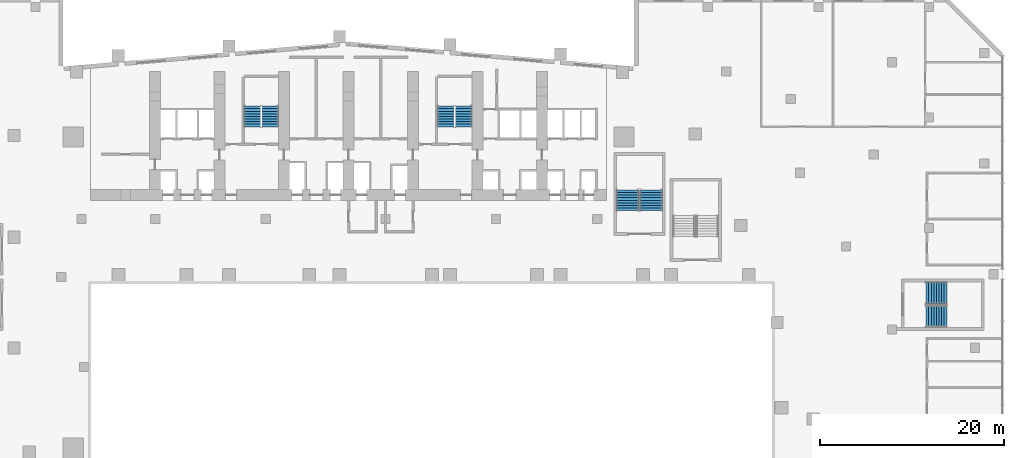
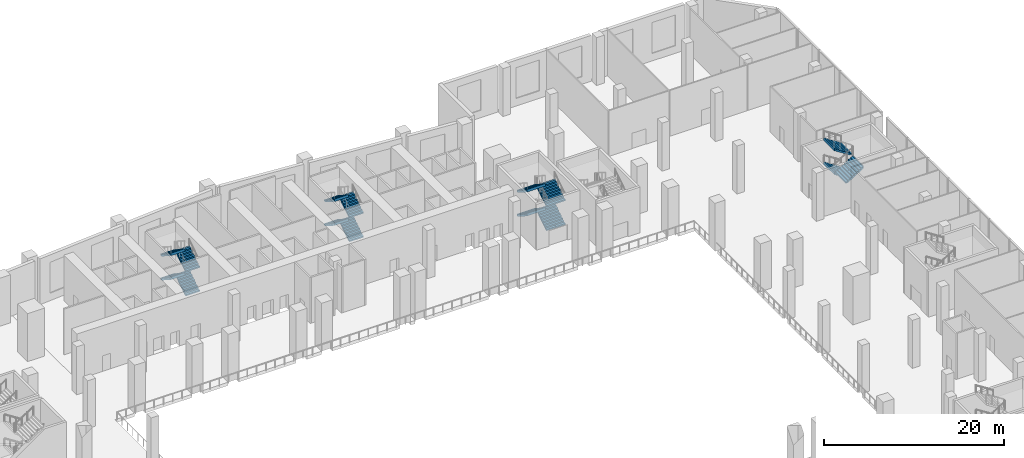
# One storey, part 21 of 30: 15 stair flights, 4 elements without a shape of their own.
"""IFC4 building model written with IfcOpenShell, lengths in metres."""

from ifc_helpers import new_model, si_unit, direction, frame, origin, place, context, subcontext, project, spatial, polyline, outline, extrude, material, type_object, element, aggregate, save


model = new_model("IFC4")

# Units and contexts
model_context = context("Model", 3, precision=1e-05, world=origin(), true_north=direction((0.0, 1.0)))
body_context = subcontext(model_context, "Body", "Model", "MODEL_VIEW")
ifc_project = project(units=[si_unit("LENGTHUNIT", "METRE"), si_unit("AREAUNIT", "SQUARE_METRE"), si_unit("VOLUMEUNIT", "CUBIC_METRE"), si_unit("PLANEANGLEUNIT", "RADIAN"), si_unit("MASSUNIT", "GRAM", prefix="KILO")], contexts=[model_context])

# Site, building, storey
site_placement = place(None, origin())
site = spatial("IfcSite", under=ifc_project, at=site_placement, CompositionType="ELEMENT")
building_placement = place(site_placement, origin())
building = spatial("IfcBuilding", under=site, at=building_placement, Name="Wharfspan Tower", CompositionType="ELEMENT")
storey_placement = place(building_placement, frame((0.0, 0.0, 15.0)))
storey = spatial("IfcBuildingStorey", under=building, at=storey_placement, Name="L02", CompositionType="ELEMENT", Elevation=15.0)

# Stair, stair flights
ifc_material = material(Name="Concrete C40/50", Category="concrete")
stair_type_1 = type_object("IfcStairType", Name="Half-turn stair 2400 wide 36 risers 181 mm", PredefinedType="HALF_TURN_STAIR", material=ifc_material)
stair_1_placement = place(storey_placement, origin())
stair_1 = element("IfcStair", 1, at=stair_1_placement, inside=storey, type_object=stair_type_1, Name="L02 stair AS4", PredefinedType="HALF_TURN_STAIR")
stair_flight_type_1 = type_object("IfcStairFlightType", Name="Stair flight 2400 wide 36 risers 181 mm", PredefinedType="STRAIGHT", material=ifc_material)
stair_flight_1_placement = place(storey_placement, frame((101.939941, 23.949951, 1.625), z_axis=(0.0, 0.0, 1.0), x_axis=(-1.0, 0.0, 0.0)))
stair_flight_1 = element("IfcStairFlight", 2, at=stair_flight_1_placement, type_object=stair_flight_type_1, Name="AS4 flight 2", NumberOfRisers=9, NumberOfTreads=8, PredefinedType="STRAIGHT", RiserHeight=0.180556, TreadLength=0.28, context=body_context, shape_type="SweptSolid", body=[
    extrude(outline(polyline([(-0.011963, 0.0), (-0.011963, 0.180664), (0.0, 0.180664), (0.280029, 0.180664), (0.280029, 0.361084), (0.560059, 0.361084), (0.560059, 0.541748), (0.840088, 0.541748), (0.840088, 0.722168), (1.120117, 0.722168), (1.120117, 0.902832), (1.399902, 0.902832), (1.399902, 1.083252), (1.679932, 1.083252), (1.679932, 1.263916), (1.959961, 1.263916), (1.959961, 1.444336), (2.23999, 1.444336), (2.251953, 1.625), (2.251953, 1.266113), (0.276611, 0.0), (-0.011963, 0.0)])), frame((0.0, 1.199951, 0.0), z_axis=(0.0, -1.0, 0.0), x_axis=(1.0, 0.0, 0.0)), (0.0, 0.0, 1.0), 1.179443),
    extrude(outline(polyline([(-0.011963, 0.0), (-0.011963, 0.180664), (0.0, 0.180664), (0.280029, 0.180664), (0.280029, 0.361084), (0.560059, 0.361084), (0.560059, 0.541748), (0.840088, 0.541748), (0.840088, 0.722168), (1.120117, 0.722168), (1.120117, 0.902832), (1.399902, 0.902832), (1.399902, 1.083252), (1.679932, 1.083252), (1.679932, 1.263916), (1.959961, 1.263916), (1.959961, 1.444336), (2.23999, 1.444336), (2.251953, 1.625), (2.251953, 1.266113), (0.276611, 0.0), (-0.011963, 0.0)])), frame((0.0, 0.019531, 0.0), z_axis=(0.0, -1.0, 0.0), x_axis=(1.0, 0.0, 0.0)), (0.0, 0.0, 1.0), 0.019043),
    extrude(outline(polyline([(-0.011963, 0.0), (-0.011963, 0.180664), (0.0, 0.180664), (0.280029, 0.180664), (0.280029, 0.361084), (0.560059, 0.361084), (0.560059, 0.541748), (0.840088, 0.541748), (0.840088, 0.722168), (1.120117, 0.722168), (1.120117, 0.902832), (1.399902, 0.902832), (1.399902, 1.083252), (1.679932, 1.083252), (1.679932, 1.263916), (1.959961, 1.263916), (1.959961, 1.444336), (2.23999, 1.444336), (2.251953, 1.625), (2.251953, 1.266113), (0.276611, 0.0), (-0.011963, 0.0)])), frame((0.0, -0.000488, 0.0), z_axis=(0.0, -1.0, 0.0), x_axis=(1.0, 0.0, 0.0)), (0.0, 0.0, 1.0), 0.019043),
    extrude(outline(polyline([(-0.011963, 0.0), (-0.011963, 0.180664), (0.0, 0.180664), (0.280029, 0.180664), (0.280029, 0.361084), (0.560059, 0.361084), (0.560059, 0.541748), (0.840088, 0.541748), (0.840088, 0.722168), (1.120117, 0.722168), (1.120117, 0.902832), (1.399902, 0.902832), (1.399902, 1.083252), (1.679932, 1.083252), (1.679932, 1.263916), (1.959961, 1.263916), (1.959961, 1.444336), (2.23999, 1.444336), (2.251953, 1.625), (2.251953, 1.266113), (0.276611, 0.0), (-0.011963, 0.0)])), frame((0.0, -0.020508, 0.0), z_axis=(0.0, -1.0, 0.0), x_axis=(1.0, 0.0, 0.0)), (0.0, 0.0, 1.0), 1.179443),
])
stair_flight_2_placement = place(storey_placement, frame((99.699951, 21.399902, 3.25), z_axis=(0.0, 0.0, 1.0), x_axis=(1.0, 0.0, 0.0)))
stair_flight_2 = element("IfcStairFlight", 3, at=stair_flight_2_placement, type_object=stair_flight_type_1, Name="AS4 flight 3", NumberOfRisers=9, NumberOfTreads=8, PredefinedType="STRAIGHT", RiserHeight=0.180556, TreadLength=0.28, context=body_context, shape_type="SweptSolid", body=[
    extrude(outline(polyline([(-0.011963, 0.0), (-0.011963, 0.180664), (0.0, 0.180664), (0.280029, 0.180664), (0.280029, 0.361084), (0.560059, 0.361084), (0.560059, 0.541748), (0.840088, 0.541748), (0.840088, 0.722168), (1.120117, 0.722168), (1.120117, 0.902832), (1.399902, 0.902832), (1.399902, 1.083252), (1.679932, 1.083252), (1.679932, 1.263916), (1.959961, 1.263916), (1.959961, 1.444336), (2.23999, 1.444336), (2.251953, 1.625), (2.251953, 1.266113), (0.276611, 0.0), (-0.011963, 0.0)])), frame((0.0, 1.199951, 0.0), z_axis=(0.0, -1.0, 0.0), x_axis=(1.0, 0.0, 0.0)), (0.0, 0.0, 1.0), 1.179443),
    extrude(outline(polyline([(-0.011963, 0.0), (-0.011963, 0.180664), (0.0, 0.180664), (0.280029, 0.180664), (0.280029, 0.361084), (0.560059, 0.361084), (0.560059, 0.541748), (0.840088, 0.541748), (0.840088, 0.722168), (1.120117, 0.722168), (1.120117, 0.902832), (1.399902, 0.902832), (1.399902, 1.083252), (1.679932, 1.083252), (1.679932, 1.263916), (1.959961, 1.263916), (1.959961, 1.444336), (2.23999, 1.444336), (2.251953, 1.625), (2.251953, 1.266113), (0.276611, 0.0), (-0.011963, 0.0)])), frame((0.0, 0.019531, 0.0), z_axis=(0.0, -1.0, 0.0), x_axis=(1.0, 0.0, 0.0)), (0.0, 0.0, 1.0), 0.019043),
    extrude(outline(polyline([(-0.011963, 0.0), (-0.011963, 0.180664), (0.0, 0.180664), (0.280029, 0.180664), (0.280029, 0.361084), (0.560059, 0.361084), (0.560059, 0.541748), (0.840088, 0.541748), (0.840088, 0.722168), (1.120117, 0.722168), (1.120117, 0.902832), (1.399902, 0.902832), (1.399902, 1.083252), (1.679932, 1.083252), (1.679932, 1.263916), (1.959961, 1.263916), (1.959961, 1.444336), (2.23999, 1.444336), (2.251953, 1.625), (2.251953, 1.266113), (0.276611, 0.0), (-0.011963, 0.0)])), frame((0.0, -0.000488, 0.0), z_axis=(0.0, -1.0, 0.0), x_axis=(1.0, 0.0, 0.0)), (0.0, 0.0, 1.0), 0.019043),
    extrude(outline(polyline([(-0.011963, 0.0), (-0.011963, 0.180664), (0.0, 0.180664), (0.280029, 0.180664), (0.280029, 0.361084), (0.560059, 0.361084), (0.560059, 0.541748), (0.840088, 0.541748), (0.840088, 0.722168), (1.120117, 0.722168), (1.120117, 0.902832), (1.399902, 0.902832), (1.399902, 1.083252), (1.679932, 1.083252), (1.679932, 1.263916), (1.959961, 1.263916), (1.959961, 1.444336), (2.23999, 1.444336), (2.251953, 1.625), (2.251953, 1.266113), (0.276611, 0.0), (-0.011963, 0.0)])), frame((0.0, -0.020508, 0.0), z_axis=(0.0, -1.0, 0.0), x_axis=(1.0, 0.0, 0.0)), (0.0, 0.0, 1.0), 1.179443),
])
stair_flight_3_placement = place(storey_placement, frame((101.939941, 23.949951, 4.875), z_axis=(0.0, 0.0, 1.0), x_axis=(-1.0, 0.0, 0.0)))
stair_flight_3 = element("IfcStairFlight", 4, at=stair_flight_3_placement, type_object=stair_flight_type_1, Name="AS4 flight 4", NumberOfRisers=9, NumberOfTreads=8, PredefinedType="STRAIGHT", RiserHeight=0.180556, TreadLength=0.28, context=body_context, shape_type="SweptSolid", body=[
    extrude(outline(polyline([(-0.011963, 0.0), (-0.011963, 0.180664), (0.0, 0.180664), (0.280029, 0.180664), (0.280029, 0.361084), (0.560059, 0.361084), (0.560059, 0.541748), (0.840088, 0.541748), (0.840088, 0.722168), (1.120117, 0.722168), (1.120117, 0.902832), (1.399902, 0.902832), (1.399902, 1.083252), (1.679932, 1.083252), (1.679932, 1.263916), (1.959961, 1.263916), (1.959961, 1.444336), (2.23999, 1.444336), (2.251953, 1.625), (2.251953, 1.266113), (0.276611, 0.0), (-0.011963, 0.0)])), frame((0.0, 1.199951, 0.0), z_axis=(0.0, -1.0, 0.0), x_axis=(1.0, 0.0, 0.0)), (0.0, 0.0, 1.0), 1.179443),
    extrude(outline(polyline([(-0.011963, 0.0), (-0.011963, 0.180664), (0.0, 0.180664), (0.280029, 0.180664), (0.280029, 0.361084), (0.560059, 0.361084), (0.560059, 0.541748), (0.840088, 0.541748), (0.840088, 0.722168), (1.120117, 0.722168), (1.120117, 0.902832), (1.399902, 0.902832), (1.399902, 1.083252), (1.679932, 1.083252), (1.679932, 1.263916), (1.959961, 1.263916), (1.959961, 1.444336), (2.23999, 1.444336), (2.251953, 1.625), (2.251953, 1.266113), (0.276611, 0.0), (-0.011963, 0.0)])), frame((0.0, 0.019531, 0.0), z_axis=(0.0, -1.0, 0.0), x_axis=(1.0, 0.0, 0.0)), (0.0, 0.0, 1.0), 0.019043),
    extrude(outline(polyline([(-0.011963, 0.0), (-0.011963, 0.180664), (0.0, 0.180664), (0.280029, 0.180664), (0.280029, 0.361084), (0.560059, 0.361084), (0.560059, 0.541748), (0.840088, 0.541748), (0.840088, 0.722168), (1.120117, 0.722168), (1.120117, 0.902832), (1.399902, 0.902832), (1.399902, 1.083252), (1.679932, 1.083252), (1.679932, 1.263916), (1.959961, 1.263916), (1.959961, 1.444336), (2.23999, 1.444336), (2.251953, 1.625), (2.251953, 1.266113), (0.276611, 0.0), (-0.011963, 0.0)])), frame((0.0, -0.000488, 0.0), z_axis=(0.0, -1.0, 0.0), x_axis=(1.0, 0.0, 0.0)), (0.0, 0.0, 1.0), 0.019043),
    extrude(outline(polyline([(-0.011963, 0.0), (-0.011963, 0.180664), (0.0, 0.180664), (0.280029, 0.180664), (0.280029, 0.361084), (0.560059, 0.361084), (0.560059, 0.541748), (0.840088, 0.541748), (0.840088, 0.722168), (1.120117, 0.722168), (1.120117, 0.902832), (1.399902, 0.902832), (1.399902, 1.083252), (1.679932, 1.083252), (1.679932, 1.263916), (1.959961, 1.263916), (1.959961, 1.444336), (2.23999, 1.444336), (2.251953, 1.625), (2.251953, 1.266113), (0.276611, 0.0), (-0.011963, 0.0)])), frame((0.0, -0.020508, 0.0), z_axis=(0.0, -1.0, 0.0), x_axis=(1.0, 0.0, 0.0)), (0.0, 0.0, 1.0), 1.179443),
])
aggregate(stair_1, [stair_flight_1, stair_flight_2, stair_flight_3])

stair_2_placement = place(storey_placement, origin())
stair_2 = element("IfcStair", 5, at=stair_2_placement, inside=storey, type_object=stair_type_1, Name="L02 stair PS4", PredefinedType="HALF_TURN_STAIR")
stair_flight_4_placement = place(storey_placement, frame((69.850098, 32.899902, 0.0), z_axis=(0.0, 0.0, 1.0), x_axis=(0.0, 1.0, 0.0)))
stair_flight_4 = element("IfcStairFlight", 6, at=stair_flight_4_placement, type_object=stair_flight_type_1, Name="PS4 flight 1", NumberOfRisers=9, NumberOfTreads=8, PredefinedType="STRAIGHT", RiserHeight=0.180556, TreadLength=0.28, context=body_context, shape_type="SweptSolid", body=[
    extrude(outline(polyline([(-0.011963, 0.0), (-0.011963, 0.180664), (0.0, 0.180664), (0.280029, 0.180664), (0.280029, 0.361084), (0.560059, 0.361084), (0.560059, 0.541748), (0.840088, 0.541748), (0.840088, 0.722168), (1.120117, 0.722168), (1.120117, 0.902832), (1.399902, 0.902832), (1.399902, 1.083252), (1.679932, 1.083252), (1.679932, 1.263916), (1.959961, 1.263916), (1.959961, 1.444336), (2.23999, 1.444336), (2.251953, 1.625), (2.251953, 1.266113), (0.276611, 0.0), (-0.011963, 0.0)])), frame((0.0, 1.199951, 0.0), z_axis=(0.0, -1.0, 0.0), x_axis=(1.0, 0.0, 0.0)), (0.0, 0.0, 1.0), 1.179443),
    extrude(outline(polyline([(-0.011963, 0.0), (-0.011963, 0.180664), (0.0, 0.180664), (0.280029, 0.180664), (0.280029, 0.361084), (0.560059, 0.361084), (0.560059, 0.541748), (0.840088, 0.541748), (0.840088, 0.722168), (1.120117, 0.722168), (1.120117, 0.902832), (1.399902, 0.902832), (1.399902, 1.083252), (1.679932, 1.083252), (1.679932, 1.263916), (1.959961, 1.263916), (1.959961, 1.444336), (2.23999, 1.444336), (2.251953, 1.625), (2.251953, 1.266113), (0.276611, 0.0), (-0.011963, 0.0)])), frame((0.0, 0.019531, 0.0), z_axis=(0.0, -1.0, 0.0), x_axis=(1.0, 0.0, 0.0)), (0.0, 0.0, 1.0), 0.019043),
    extrude(outline(polyline([(-0.011963, 0.0), (-0.011963, 0.180664), (0.0, 0.180664), (0.280029, 0.180664), (0.280029, 0.361084), (0.560059, 0.361084), (0.560059, 0.541748), (0.840088, 0.541748), (0.840088, 0.722168), (1.120117, 0.722168), (1.120117, 0.902832), (1.399902, 0.902832), (1.399902, 1.083252), (1.679932, 1.083252), (1.679932, 1.263916), (1.959961, 1.263916), (1.959961, 1.444336), (2.23999, 1.444336), (2.251953, 1.625), (2.251953, 1.266113), (0.276611, 0.0), (-0.011963, 0.0)])), frame((0.0, -0.000488, 0.0), z_axis=(0.0, -1.0, 0.0), x_axis=(1.0, 0.0, 0.0)), (0.0, 0.0, 1.0), 0.019043),
    extrude(outline(polyline([(-0.011963, 0.0), (-0.011963, 0.180664), (0.0, 0.180664), (0.280029, 0.180664), (0.280029, 0.361084), (0.560059, 0.361084), (0.560059, 0.541748), (0.840088, 0.541748), (0.840088, 0.722168), (1.120117, 0.722168), (1.120117, 0.902832), (1.399902, 0.902832), (1.399902, 1.083252), (1.679932, 1.083252), (1.679932, 1.263916), (1.959961, 1.263916), (1.959961, 1.444336), (2.23999, 1.444336), (2.251953, 1.625), (2.251953, 1.266113), (0.276611, 0.0), (-0.011963, 0.0)])), frame((0.0, -0.020508, 0.0), z_axis=(0.0, -1.0, 0.0), x_axis=(1.0, 0.0, 0.0)), (0.0, 0.0, 1.0), 1.179443),
])
stair_flight_5_placement = place(storey_placement, frame((67.300049, 35.139893, 1.625), z_axis=(0.0, 0.0, 1.0), x_axis=(0.0, -1.0, 0.0)))
stair_flight_5 = element("IfcStairFlight", 7, at=stair_flight_5_placement, type_object=stair_flight_type_1, Name="PS4 flight 2", NumberOfRisers=9, NumberOfTreads=8, PredefinedType="STRAIGHT", RiserHeight=0.180556, TreadLength=0.28, context=body_context, shape_type="SweptSolid", body=[
    extrude(outline(polyline([(-0.011963, 0.0), (-0.011963, 0.180664), (0.0, 0.180664), (0.280029, 0.180664), (0.280029, 0.361084), (0.560059, 0.361084), (0.560059, 0.541748), (0.840088, 0.541748), (0.840088, 0.722168), (1.120117, 0.722168), (1.120117, 0.902832), (1.399902, 0.902832), (1.399902, 1.083252), (1.679932, 1.083252), (1.679932, 1.263916), (1.959961, 1.263916), (1.959961, 1.444336), (2.23999, 1.444336), (2.251953, 1.625), (2.251953, 1.266113), (0.276611, 0.0), (-0.011963, 0.0)])), frame((0.0, 1.199951, 0.0), z_axis=(0.0, -1.0, 0.0), x_axis=(1.0, 0.0, 0.0)), (0.0, 0.0, 1.0), 1.179443),
    extrude(outline(polyline([(-0.011963, 0.0), (-0.011963, 0.180664), (0.0, 0.180664), (0.280029, 0.180664), (0.280029, 0.361084), (0.560059, 0.361084), (0.560059, 0.541748), (0.840088, 0.541748), (0.840088, 0.722168), (1.120117, 0.722168), (1.120117, 0.902832), (1.399902, 0.902832), (1.399902, 1.083252), (1.679932, 1.083252), (1.679932, 1.263916), (1.959961, 1.263916), (1.959961, 1.444336), (2.23999, 1.444336), (2.251953, 1.625), (2.251953, 1.266113), (0.276611, 0.0), (-0.011963, 0.0)])), frame((0.0, 0.019531, 0.0), z_axis=(0.0, -1.0, 0.0), x_axis=(1.0, 0.0, 0.0)), (0.0, 0.0, 1.0), 0.019043),
    extrude(outline(polyline([(-0.011963, 0.0), (-0.011963, 0.180664), (0.0, 0.180664), (0.280029, 0.180664), (0.280029, 0.361084), (0.560059, 0.361084), (0.560059, 0.541748), (0.840088, 0.541748), (0.840088, 0.722168), (1.120117, 0.722168), (1.120117, 0.902832), (1.399902, 0.902832), (1.399902, 1.083252), (1.679932, 1.083252), (1.679932, 1.263916), (1.959961, 1.263916), (1.959961, 1.444336), (2.23999, 1.444336), (2.251953, 1.625), (2.251953, 1.266113), (0.276611, 0.0), (-0.011963, 0.0)])), frame((0.0, -0.000488, 0.0), z_axis=(0.0, -1.0, 0.0), x_axis=(1.0, 0.0, 0.0)), (0.0, 0.0, 1.0), 0.019043),
    extrude(outline(polyline([(-0.011963, 0.0), (-0.011963, 0.180664), (0.0, 0.180664), (0.280029, 0.180664), (0.280029, 0.361084), (0.560059, 0.361084), (0.560059, 0.541748), (0.840088, 0.541748), (0.840088, 0.722168), (1.120117, 0.722168), (1.120117, 0.902832), (1.399902, 0.902832), (1.399902, 1.083252), (1.679932, 1.083252), (1.679932, 1.263916), (1.959961, 1.263916), (1.959961, 1.444336), (2.23999, 1.444336), (2.251953, 1.625), (2.251953, 1.266113), (0.276611, 0.0), (-0.011963, 0.0)])), frame((0.0, -0.020508, 0.0), z_axis=(0.0, -1.0, 0.0), x_axis=(1.0, 0.0, 0.0)), (0.0, 0.0, 1.0), 1.179443),
])
stair_flight_6_placement = place(storey_placement, frame((69.850098, 32.899902, 3.25), z_axis=(0.0, 0.0, 1.0), x_axis=(0.0, 1.0, 0.0)))
stair_flight_6 = element("IfcStairFlight", 8, at=stair_flight_6_placement, type_object=stair_flight_type_1, Name="PS4 flight 3", NumberOfRisers=9, NumberOfTreads=8, PredefinedType="STRAIGHT", RiserHeight=0.180556, TreadLength=0.28, context=body_context, shape_type="SweptSolid", body=[
    extrude(outline(polyline([(-0.011963, 0.0), (-0.011963, 0.180664), (0.0, 0.180664), (0.280029, 0.180664), (0.280029, 0.361084), (0.560059, 0.361084), (0.560059, 0.541748), (0.840088, 0.541748), (0.840088, 0.722168), (1.120117, 0.722168), (1.120117, 0.902832), (1.399902, 0.902832), (1.399902, 1.083252), (1.679932, 1.083252), (1.679932, 1.263916), (1.959961, 1.263916), (1.959961, 1.444336), (2.23999, 1.444336), (2.251953, 1.625), (2.251953, 1.266113), (0.276611, 0.0), (-0.011963, 0.0)])), frame((0.0, 1.199951, 0.0), z_axis=(0.0, -1.0, 0.0), x_axis=(1.0, 0.0, 0.0)), (0.0, 0.0, 1.0), 1.179443),
    extrude(outline(polyline([(-0.011963, 0.0), (-0.011963, 0.180664), (0.0, 0.180664), (0.280029, 0.180664), (0.280029, 0.361084), (0.560059, 0.361084), (0.560059, 0.541748), (0.840088, 0.541748), (0.840088, 0.722168), (1.120117, 0.722168), (1.120117, 0.902832), (1.399902, 0.902832), (1.399902, 1.083252), (1.679932, 1.083252), (1.679932, 1.263916), (1.959961, 1.263916), (1.959961, 1.444336), (2.23999, 1.444336), (2.251953, 1.625), (2.251953, 1.266113), (0.276611, 0.0), (-0.011963, 0.0)])), frame((0.0, 0.019531, 0.0), z_axis=(0.0, -1.0, 0.0), x_axis=(1.0, 0.0, 0.0)), (0.0, 0.0, 1.0), 0.019043),
    extrude(outline(polyline([(-0.011963, 0.0), (-0.011963, 0.180664), (0.0, 0.180664), (0.280029, 0.180664), (0.280029, 0.361084), (0.560059, 0.361084), (0.560059, 0.541748), (0.840088, 0.541748), (0.840088, 0.722168), (1.120117, 0.722168), (1.120117, 0.902832), (1.399902, 0.902832), (1.399902, 1.083252), (1.679932, 1.083252), (1.679932, 1.263916), (1.959961, 1.263916), (1.959961, 1.444336), (2.23999, 1.444336), (2.251953, 1.625), (2.251953, 1.266113), (0.276611, 0.0), (-0.011963, 0.0)])), frame((0.0, -0.000488, 0.0), z_axis=(0.0, -1.0, 0.0), x_axis=(1.0, 0.0, 0.0)), (0.0, 0.0, 1.0), 0.019043),
    extrude(outline(polyline([(-0.011963, 0.0), (-0.011963, 0.180664), (0.0, 0.180664), (0.280029, 0.180664), (0.280029, 0.361084), (0.560059, 0.361084), (0.560059, 0.541748), (0.840088, 0.541748), (0.840088, 0.722168), (1.120117, 0.722168), (1.120117, 0.902832), (1.399902, 0.902832), (1.399902, 1.083252), (1.679932, 1.083252), (1.679932, 1.263916), (1.959961, 1.263916), (1.959961, 1.444336), (2.23999, 1.444336), (2.251953, 1.625), (2.251953, 1.266113), (0.276611, 0.0), (-0.011963, 0.0)])), frame((0.0, -0.020508, 0.0), z_axis=(0.0, -1.0, 0.0), x_axis=(1.0, 0.0, 0.0)), (0.0, 0.0, 1.0), 1.179443),
])
stair_flight_7_placement = place(storey_placement, frame((67.300049, 35.139893, 4.875), z_axis=(0.0, 0.0, 1.0), x_axis=(0.0, -1.0, 0.0)))
stair_flight_7 = element("IfcStairFlight", 9, at=stair_flight_7_placement, type_object=stair_flight_type_1, Name="PS4 flight 4", NumberOfRisers=9, NumberOfTreads=8, PredefinedType="STRAIGHT", RiserHeight=0.180556, TreadLength=0.28, context=body_context, shape_type="SweptSolid", body=[
    extrude(outline(polyline([(-0.011963, 0.0), (-0.011963, 0.180664), (0.0, 0.180664), (0.280029, 0.180664), (0.280029, 0.361084), (0.560059, 0.361084), (0.560059, 0.541748), (0.840088, 0.541748), (0.840088, 0.722168), (1.120117, 0.722168), (1.120117, 0.902832), (1.399902, 0.902832), (1.399902, 1.083252), (1.679932, 1.083252), (1.679932, 1.263916), (1.959961, 1.263916), (1.959961, 1.444336), (2.23999, 1.444336), (2.251953, 1.625), (2.251953, 1.266113), (0.276611, 0.0), (-0.011963, 0.0)])), frame((0.0, 1.199951, 0.0), z_axis=(0.0, -1.0, 0.0), x_axis=(1.0, 0.0, 0.0)), (0.0, 0.0, 1.0), 1.179443),
    extrude(outline(polyline([(-0.011963, 0.0), (-0.011963, 0.180664), (0.0, 0.180664), (0.280029, 0.180664), (0.280029, 0.361084), (0.560059, 0.361084), (0.560059, 0.541748), (0.840088, 0.541748), (0.840088, 0.722168), (1.120117, 0.722168), (1.120117, 0.902832), (1.399902, 0.902832), (1.399902, 1.083252), (1.679932, 1.083252), (1.679932, 1.263916), (1.959961, 1.263916), (1.959961, 1.444336), (2.23999, 1.444336), (2.251953, 1.625), (2.251953, 1.266113), (0.276611, 0.0), (-0.011963, 0.0)])), frame((0.0, 0.019531, 0.0), z_axis=(0.0, -1.0, 0.0), x_axis=(1.0, 0.0, 0.0)), (0.0, 0.0, 1.0), 0.019043),
    extrude(outline(polyline([(-0.011963, 0.0), (-0.011963, 0.180664), (0.0, 0.180664), (0.280029, 0.180664), (0.280029, 0.361084), (0.560059, 0.361084), (0.560059, 0.541748), (0.840088, 0.541748), (0.840088, 0.722168), (1.120117, 0.722168), (1.120117, 0.902832), (1.399902, 0.902832), (1.399902, 1.083252), (1.679932, 1.083252), (1.679932, 1.263916), (1.959961, 1.263916), (1.959961, 1.444336), (2.23999, 1.444336), (2.251953, 1.625), (2.251953, 1.266113), (0.276611, 0.0), (-0.011963, 0.0)])), frame((0.0, -0.000488, 0.0), z_axis=(0.0, -1.0, 0.0), x_axis=(1.0, 0.0, 0.0)), (0.0, 0.0, 1.0), 0.019043),
    extrude(outline(polyline([(-0.011963, 0.0), (-0.011963, 0.180664), (0.0, 0.180664), (0.280029, 0.180664), (0.280029, 0.361084), (0.560059, 0.361084), (0.560059, 0.541748), (0.840088, 0.541748), (0.840088, 0.722168), (1.120117, 0.722168), (1.120117, 0.902832), (1.399902, 0.902832), (1.399902, 1.083252), (1.679932, 1.083252), (1.679932, 1.263916), (1.959961, 1.263916), (1.959961, 1.444336), (2.23999, 1.444336), (2.251953, 1.625), (2.251953, 1.266113), (0.276611, 0.0), (-0.011963, 0.0)])), frame((0.0, -0.020508, 0.0), z_axis=(0.0, -1.0, 0.0), x_axis=(1.0, 0.0, 0.0)), (0.0, 0.0, 1.0), 1.179443),
])
aggregate(stair_2, [stair_flight_4, stair_flight_5, stair_flight_6, stair_flight_7])

stair_type_2 = type_object("IfcStairType", Name="Half-turn stair 36 risers 181 mm", PredefinedType="HALF_TURN_STAIR", material=ifc_material)
stair_3_placement = place(storey_placement, origin())
stair_3 = element("IfcStair", 10, at=stair_3_placement, inside=storey, type_object=stair_type_2, Name="L02 stair ST1", PredefinedType="HALF_TURN_STAIR")
stair_flight_type_2 = type_object("IfcStairFlightType", Name="Stair flight 36 risers 181 mm", PredefinedType="STRAIGHT", material=ifc_material)
stair_flight_8_placement = place(storey_placement, frame((28.5, 42.0, 0.0), z_axis=(0.0, 0.0, 1.0), x_axis=(0.0, 1.0, 0.0)))
stair_flight_8 = element("IfcStairFlight", 11, at=stair_flight_8_placement, type_object=stair_flight_type_2, Name="ST1 flight 1", NumberOfRisers=9, NumberOfTreads=8, PredefinedType="STRAIGHT", RiserHeight=0.180556, TreadLength=0.28, context=body_context, shape_type="SweptSolid", body=[
    extrude(outline(polyline([(-0.011963, 0.0), (-0.011963, 0.180664), (0.0, 0.180664), (0.280029, 0.180664), (0.280029, 0.361084), (0.560059, 0.361084), (0.560059, 0.541748), (0.840088, 0.541748), (0.840088, 0.722168), (1.120117, 0.722168), (1.120117, 0.902832), (1.399902, 0.902832), (1.399902, 1.083252), (1.679932, 1.083252), (1.679932, 1.263916), (1.959961, 1.263916), (1.959961, 1.444336), (2.23999, 1.444336), (2.251953, 1.625), (2.251953, 1.266113), (0.276611, 0.0), (-0.011963, 0.0)])), frame((0.0, 0.899902, 0.0), z_axis=(0.0, -1.0, 0.0), x_axis=(1.0, 0.0, 0.0)), (0.0, 0.0, 1.0), 0.899414),
    extrude(outline(polyline([(-0.011963, 0.0), (-0.011963, 0.180664), (0.0, 0.180664), (0.280029, 0.180664), (0.280029, 0.361084), (0.560059, 0.361084), (0.560059, 0.541748), (0.840088, 0.541748), (0.840088, 0.722168), (1.120117, 0.722168), (1.120117, 0.902832), (1.399902, 0.902832), (1.399902, 1.083252), (1.679932, 1.083252), (1.679932, 1.263916), (1.959961, 1.263916), (1.959961, 1.444336), (2.23999, 1.444336), (2.251953, 1.625), (2.251953, 1.266113), (0.276611, 0.0), (-0.011963, 0.0)])), frame((0.0, -0.000488, 0.0), z_axis=(0.0, -1.0, 0.0), x_axis=(1.0, 0.0, 0.0)), (0.0, 0.0, 1.0), 0.899414),
])
stair_flight_9_placement = place(storey_placement, frame((26.550049, 44.23999, 1.625), z_axis=(0.0, 0.0, 1.0), x_axis=(0.0, -1.0, 0.0)))
stair_flight_9 = element("IfcStairFlight", 12, at=stair_flight_9_placement, type_object=stair_flight_type_2, Name="ST1 flight 2", NumberOfRisers=9, NumberOfTreads=8, PredefinedType="STRAIGHT", RiserHeight=0.180556, TreadLength=0.28, context=body_context, shape_type="SweptSolid", body=[
    extrude(outline(polyline([(-0.011963, 0.0), (-0.011963, 0.180664), (0.0, 0.180664), (0.280029, 0.180664), (0.280029, 0.361084), (0.560059, 0.361084), (0.560059, 0.541748), (0.840088, 0.541748), (0.840088, 0.722168), (1.120117, 0.722168), (1.120117, 0.902832), (1.399902, 0.902832), (1.399902, 1.083252), (1.679932, 1.083252), (1.679932, 1.263916), (1.959961, 1.263916), (1.959961, 1.444336), (2.23999, 1.444336), (2.251953, 1.625), (2.251953, 1.266113), (0.276611, 0.0), (-0.011963, 0.0)])), frame((0.0, 0.899902, 0.0), z_axis=(0.0, -1.0, 0.0), x_axis=(1.0, 0.0, 0.0)), (0.0, 0.0, 1.0), 0.899414),
    extrude(outline(polyline([(-0.011963, 0.0), (-0.011963, 0.180664), (0.0, 0.180664), (0.280029, 0.180664), (0.280029, 0.361084), (0.560059, 0.361084), (0.560059, 0.541748), (0.840088, 0.541748), (0.840088, 0.722168), (1.120117, 0.722168), (1.120117, 0.902832), (1.399902, 0.902832), (1.399902, 1.083252), (1.679932, 1.083252), (1.679932, 1.263916), (1.959961, 1.263916), (1.959961, 1.444336), (2.23999, 1.444336), (2.251953, 1.625), (2.251953, 1.266113), (0.276611, 0.0), (-0.011963, 0.0)])), frame((0.0, -0.000488, 0.0), z_axis=(0.0, -1.0, 0.0), x_axis=(1.0, 0.0, 0.0)), (0.0, 0.0, 1.0), 0.899414),
])
stair_flight_10_placement = place(storey_placement, frame((28.5, 42.0, 3.25), z_axis=(0.0, 0.0, 1.0), x_axis=(0.0, 1.0, 0.0)))
stair_flight_10 = element("IfcStairFlight", 13, at=stair_flight_10_placement, type_object=stair_flight_type_2, Name="ST1 flight 3", NumberOfRisers=9, NumberOfTreads=8, PredefinedType="STRAIGHT", RiserHeight=0.180556, TreadLength=0.28, context=body_context, shape_type="SweptSolid", body=[
    extrude(outline(polyline([(-0.011963, 0.0), (-0.011963, 0.180664), (0.0, 0.180664), (0.280029, 0.180664), (0.280029, 0.361084), (0.560059, 0.361084), (0.560059, 0.541748), (0.840088, 0.541748), (0.840088, 0.722168), (1.120117, 0.722168), (1.120117, 0.902832), (1.399902, 0.902832), (1.399902, 1.083252), (1.679932, 1.083252), (1.679932, 1.263916), (1.959961, 1.263916), (1.959961, 1.444336), (2.23999, 1.444336), (2.251953, 1.625), (2.251953, 1.266113), (0.276611, 0.0), (-0.011963, 0.0)])), frame((0.0, 0.899902, 0.0), z_axis=(0.0, -1.0, 0.0), x_axis=(1.0, 0.0, 0.0)), (0.0, 0.0, 1.0), 0.899414),
    extrude(outline(polyline([(-0.011963, 0.0), (-0.011963, 0.180664), (0.0, 0.180664), (0.280029, 0.180664), (0.280029, 0.361084), (0.560059, 0.361084), (0.560059, 0.541748), (0.840088, 0.541748), (0.840088, 0.722168), (1.120117, 0.722168), (1.120117, 0.902832), (1.399902, 0.902832), (1.399902, 1.083252), (1.679932, 1.083252), (1.679932, 1.263916), (1.959961, 1.263916), (1.959961, 1.444336), (2.23999, 1.444336), (2.251953, 1.625), (2.251953, 1.266113), (0.276611, 0.0), (-0.011963, 0.0)])), frame((0.0, -0.000488, 0.0), z_axis=(0.0, -1.0, 0.0), x_axis=(1.0, 0.0, 0.0)), (0.0, 0.0, 1.0), 0.899414),
])
stair_flight_11_placement = place(storey_placement, frame((26.550049, 44.23999, 4.875), z_axis=(0.0, 0.0, 1.0), x_axis=(0.0, -1.0, 0.0)))
stair_flight_11 = element("IfcStairFlight", 14, at=stair_flight_11_placement, type_object=stair_flight_type_2, Name="ST1 flight 4", NumberOfRisers=9, NumberOfTreads=8, PredefinedType="STRAIGHT", RiserHeight=0.180556, TreadLength=0.28, context=body_context, shape_type="SweptSolid", body=[
    extrude(outline(polyline([(-0.011963, 0.0), (-0.011963, 0.180664), (0.0, 0.180664), (0.280029, 0.180664), (0.280029, 0.361084), (0.560059, 0.361084), (0.560059, 0.541748), (0.840088, 0.541748), (0.840088, 0.722168), (1.120117, 0.722168), (1.120117, 0.902832), (1.399902, 0.902832), (1.399902, 1.083252), (1.679932, 1.083252), (1.679932, 1.263916), (1.959961, 1.263916), (1.959961, 1.444336), (2.23999, 1.444336), (2.251953, 1.625), (2.251953, 1.266113), (0.276611, 0.0), (-0.011963, 0.0)])), frame((0.0, 0.899902, 0.0), z_axis=(0.0, -1.0, 0.0), x_axis=(1.0, 0.0, 0.0)), (0.0, 0.0, 1.0), 0.899414),
    extrude(outline(polyline([(-0.011963, 0.0), (-0.011963, 0.180664), (0.0, 0.180664), (0.280029, 0.180664), (0.280029, 0.361084), (0.560059, 0.361084), (0.560059, 0.541748), (0.840088, 0.541748), (0.840088, 0.722168), (1.120117, 0.722168), (1.120117, 0.902832), (1.399902, 0.902832), (1.399902, 1.083252), (1.679932, 1.083252), (1.679932, 1.263916), (1.959961, 1.263916), (1.959961, 1.444336), (2.23999, 1.444336), (2.251953, 1.625), (2.251953, 1.266113), (0.276611, 0.0), (-0.011963, 0.0)])), frame((0.0, -0.000488, 0.0), z_axis=(0.0, -1.0, 0.0), x_axis=(1.0, 0.0, 0.0)), (0.0, 0.0, 1.0), 0.899414),
])
aggregate(stair_3, [stair_flight_8, stair_flight_9, stair_flight_10, stair_flight_11])

stair_4_placement = place(storey_placement, origin())
stair_4 = element("IfcStair", 15, at=stair_4_placement, inside=storey, type_object=stair_type_2, Name="L02 stair ST2", PredefinedType="HALF_TURN_STAIR")
stair_flight_12_placement = place(storey_placement, frame((49.5, 42.0, 0.0), z_axis=(0.0, 0.0, 1.0), x_axis=(0.0, 1.0, 0.0)))
stair_flight_12 = element("IfcStairFlight", 16, at=stair_flight_12_placement, type_object=stair_flight_type_2, Name="ST2 flight 1", NumberOfRisers=9, NumberOfTreads=8, PredefinedType="STRAIGHT", RiserHeight=0.180556, TreadLength=0.28, context=body_context, shape_type="SweptSolid", body=[
    extrude(outline(polyline([(-0.011963, 0.0), (-0.011963, 0.180664), (0.0, 0.180664), (0.280029, 0.180664), (0.280029, 0.361084), (0.560059, 0.361084), (0.560059, 0.541748), (0.840088, 0.541748), (0.840088, 0.722168), (1.120117, 0.722168), (1.120117, 0.902832), (1.399902, 0.902832), (1.399902, 1.083252), (1.679932, 1.083252), (1.679932, 1.263916), (1.959961, 1.263916), (1.959961, 1.444336), (2.23999, 1.444336), (2.251953, 1.625), (2.251953, 1.266113), (0.276611, 0.0), (-0.011963, 0.0)])), frame((0.0, 0.899902, 0.0), z_axis=(0.0, -1.0, 0.0), x_axis=(1.0, 0.0, 0.0)), (0.0, 0.0, 1.0), 0.899414),
    extrude(outline(polyline([(-0.011963, 0.0), (-0.011963, 0.180664), (0.0, 0.180664), (0.280029, 0.180664), (0.280029, 0.361084), (0.560059, 0.361084), (0.560059, 0.541748), (0.840088, 0.541748), (0.840088, 0.722168), (1.120117, 0.722168), (1.120117, 0.902832), (1.399902, 0.902832), (1.399902, 1.083252), (1.679932, 1.083252), (1.679932, 1.263916), (1.959961, 1.263916), (1.959961, 1.444336), (2.23999, 1.444336), (2.251953, 1.625), (2.251953, 1.266113), (0.276611, 0.0), (-0.011963, 0.0)])), frame((0.0, -0.000488, 0.0), z_axis=(0.0, -1.0, 0.0), x_axis=(1.0, 0.0, 0.0)), (0.0, 0.0, 1.0), 0.899414),
])
stair_flight_13_placement = place(storey_placement, frame((47.550049, 44.23999, 1.625), z_axis=(0.0, 0.0, 1.0), x_axis=(0.0, -1.0, 0.0)))
stair_flight_13 = element("IfcStairFlight", 17, at=stair_flight_13_placement, type_object=stair_flight_type_2, Name="ST2 flight 2", NumberOfRisers=9, NumberOfTreads=8, PredefinedType="STRAIGHT", RiserHeight=0.180556, TreadLength=0.28, context=body_context, shape_type="SweptSolid", body=[
    extrude(outline(polyline([(-0.011963, 0.0), (-0.011963, 0.180664), (0.0, 0.180664), (0.280029, 0.180664), (0.280029, 0.361084), (0.560059, 0.361084), (0.560059, 0.541748), (0.840088, 0.541748), (0.840088, 0.722168), (1.120117, 0.722168), (1.120117, 0.902832), (1.399902, 0.902832), (1.399902, 1.083252), (1.679932, 1.083252), (1.679932, 1.263916), (1.959961, 1.263916), (1.959961, 1.444336), (2.23999, 1.444336), (2.251953, 1.625), (2.251953, 1.266113), (0.276611, 0.0), (-0.011963, 0.0)])), frame((0.0, 0.899902, 0.0), z_axis=(0.0, -1.0, 0.0), x_axis=(1.0, 0.0, 0.0)), (0.0, 0.0, 1.0), 0.899414),
    extrude(outline(polyline([(-0.011963, 0.0), (-0.011963, 0.180664), (0.0, 0.180664), (0.280029, 0.180664), (0.280029, 0.361084), (0.560059, 0.361084), (0.560059, 0.541748), (0.840088, 0.541748), (0.840088, 0.722168), (1.120117, 0.722168), (1.120117, 0.902832), (1.399902, 0.902832), (1.399902, 1.083252), (1.679932, 1.083252), (1.679932, 1.263916), (1.959961, 1.263916), (1.959961, 1.444336), (2.23999, 1.444336), (2.251953, 1.625), (2.251953, 1.266113), (0.276611, 0.0), (-0.011963, 0.0)])), frame((0.0, -0.000488, 0.0), z_axis=(0.0, -1.0, 0.0), x_axis=(1.0, 0.0, 0.0)), (0.0, 0.0, 1.0), 0.899414),
])
stair_flight_14_placement = place(storey_placement, frame((49.5, 42.0, 3.25), z_axis=(0.0, 0.0, 1.0), x_axis=(0.0, 1.0, 0.0)))
stair_flight_14 = element("IfcStairFlight", 18, at=stair_flight_14_placement, type_object=stair_flight_type_2, Name="ST2 flight 3", NumberOfRisers=9, NumberOfTreads=8, PredefinedType="STRAIGHT", RiserHeight=0.180556, TreadLength=0.28, context=body_context, shape_type="SweptSolid", body=[
    extrude(outline(polyline([(-0.011963, 0.0), (-0.011963, 0.180664), (0.0, 0.180664), (0.280029, 0.180664), (0.280029, 0.361084), (0.560059, 0.361084), (0.560059, 0.541748), (0.840088, 0.541748), (0.840088, 0.722168), (1.120117, 0.722168), (1.120117, 0.902832), (1.399902, 0.902832), (1.399902, 1.083252), (1.679932, 1.083252), (1.679932, 1.263916), (1.959961, 1.263916), (1.959961, 1.444336), (2.23999, 1.444336), (2.251953, 1.625), (2.251953, 1.266113), (0.276611, 0.0), (-0.011963, 0.0)])), frame((0.0, 0.899902, 0.0), z_axis=(0.0, -1.0, 0.0), x_axis=(1.0, 0.0, 0.0)), (0.0, 0.0, 1.0), 0.899414),
    extrude(outline(polyline([(-0.011963, 0.0), (-0.011963, 0.180664), (0.0, 0.180664), (0.280029, 0.180664), (0.280029, 0.361084), (0.560059, 0.361084), (0.560059, 0.541748), (0.840088, 0.541748), (0.840088, 0.722168), (1.120117, 0.722168), (1.120117, 0.902832), (1.399902, 0.902832), (1.399902, 1.083252), (1.679932, 1.083252), (1.679932, 1.263916), (1.959961, 1.263916), (1.959961, 1.444336), (2.23999, 1.444336), (2.251953, 1.625), (2.251953, 1.266113), (0.276611, 0.0), (-0.011963, 0.0)])), frame((0.0, -0.000488, 0.0), z_axis=(0.0, -1.0, 0.0), x_axis=(1.0, 0.0, 0.0)), (0.0, 0.0, 1.0), 0.899414),
])
stair_flight_15_placement = place(storey_placement, frame((47.550049, 44.23999, 4.875), z_axis=(0.0, 0.0, 1.0), x_axis=(0.0, -1.0, 0.0)))
stair_flight_15 = element("IfcStairFlight", 19, at=stair_flight_15_placement, type_object=stair_flight_type_2, Name="ST2 flight 4", NumberOfRisers=9, NumberOfTreads=8, PredefinedType="STRAIGHT", RiserHeight=0.180556, TreadLength=0.28, context=body_context, shape_type="SweptSolid", body=[
    extrude(outline(polyline([(-0.011963, 0.0), (-0.011963, 0.180664), (0.0, 0.180664), (0.280029, 0.180664), (0.280029, 0.361084), (0.560059, 0.361084), (0.560059, 0.541748), (0.840088, 0.541748), (0.840088, 0.722168), (1.120117, 0.722168), (1.120117, 0.902832), (1.399902, 0.902832), (1.399902, 1.083252), (1.679932, 1.083252), (1.679932, 1.263916), (1.959961, 1.263916), (1.959961, 1.444336), (2.23999, 1.444336), (2.251953, 1.625), (2.251953, 1.266113), (0.276611, 0.0), (-0.011963, 0.0)])), frame((0.0, 0.899902, 0.0), z_axis=(0.0, -1.0, 0.0), x_axis=(1.0, 0.0, 0.0)), (0.0, 0.0, 1.0), 0.899414),
    extrude(outline(polyline([(-0.011963, 0.0), (-0.011963, 0.180664), (0.0, 0.180664), (0.280029, 0.180664), (0.280029, 0.361084), (0.560059, 0.361084), (0.560059, 0.541748), (0.840088, 0.541748), (0.840088, 0.722168), (1.120117, 0.722168), (1.120117, 0.902832), (1.399902, 0.902832), (1.399902, 1.083252), (1.679932, 1.083252), (1.679932, 1.263916), (1.959961, 1.263916), (1.959961, 1.444336), (2.23999, 1.444336), (2.251953, 1.625), (2.251953, 1.266113), (0.276611, 0.0), (-0.011963, 0.0)])), frame((0.0, -0.000488, 0.0), z_axis=(0.0, -1.0, 0.0), x_axis=(1.0, 0.0, 0.0)), (0.0, 0.0, 1.0), 0.899414),
])
aggregate(stair_4, [stair_flight_12, stair_flight_13, stair_flight_14, stair_flight_15])

save(model, "model.ifc")
